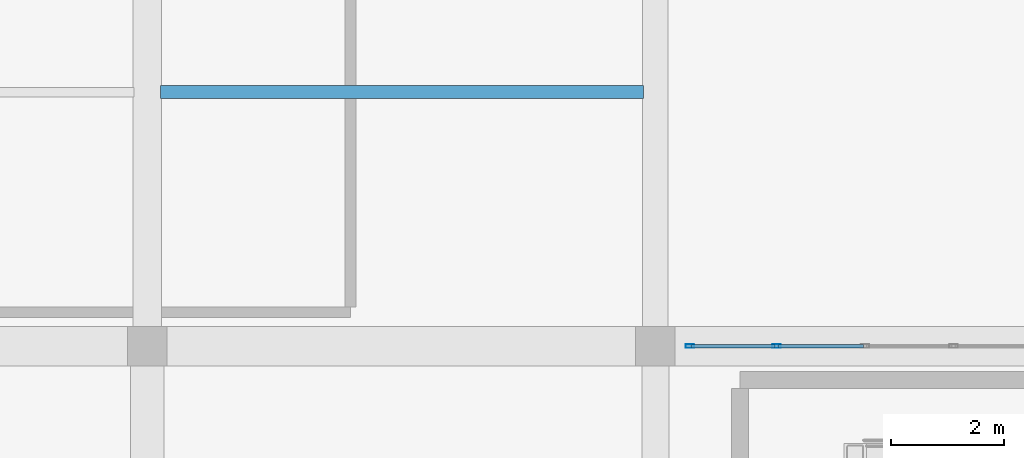
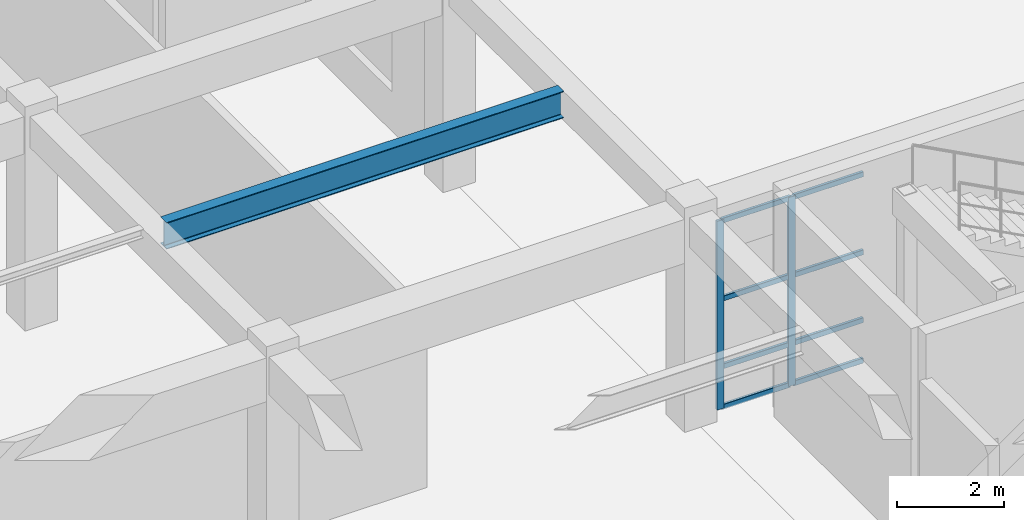
# One storey, part 42 of 128: 10 members, 1 beam, 1 element without a shape of its own.
"""IFC4 building model written with IfcOpenShell, lengths in metres."""

from ifc_helpers import new_model, si_unit, direction, frame, origin, origin_2d, place, context, subcontext, project, spatial, hollow_rectangle, i_section, extrude, material, material_profile, profile_set, type_object, element, aggregate, save


model = new_model("IFC4")

# Units and contexts
model_context = context("Model", 3, precision=1e-05, world=origin(), true_north=direction((0.0, 1.0)))
body_context = subcontext(model_context, "Body", "Model", "MODEL_VIEW")
ifc_project = project(units=[si_unit("LENGTHUNIT", "METRE"), si_unit("AREAUNIT", "SQUARE_METRE"), si_unit("VOLUMEUNIT", "CUBIC_METRE"), si_unit("PLANEANGLEUNIT", "RADIAN"), si_unit("MASSUNIT", "GRAM", prefix="KILO")], contexts=[model_context])

# Site, building, storey
site_placement = place(None, origin())
site = spatial("IfcSite", under=ifc_project, at=site_placement, CompositionType="ELEMENT")
building_placement = place(site_placement, origin())
building = spatial("IfcBuilding", under=site, at=building_placement, Name="Miravela Opera House", CompositionType="ELEMENT")
storey_placement = place(building_placement, origin())
storey = spatial("IfcBuildingStorey", under=building, at=storey_placement, Name="L00", CompositionType="ELEMENT", Elevation=0.0)

# Curtain wall, members
ifc_material_1 = material(Name="Anodised architectural bronze aluminium 6063-T6", Category="aluminium")
curtain_wall_type = type_object("IfcCurtainWallType", Name="ARC-CW-06", PredefinedType="NOTDEFINED", material=ifc_material_1)
curtain_wall_placement = place(storey_placement, origin())
curtain_wall = element("IfcCurtainWall", 1, at=curtain_wall_placement, inside=storey, type_object=curtain_wall_type, Name="Courtyard Arcade Curtain Wall CW-L00-159", PredefinedType="NOTDEFINED")
ifc_material_profile_1 = material_profile(ifc_material_1, hollow_rectangle(XDim=0.06005859375, YDim=0.14990234375, WallThickness=0.00390625, InnerFilletRadius=0.001953125, OuterFilletRadius=0.00390625, at=origin_2d()), Name="CWM-60X150")
ifc_profile_set_1 = profile_set([ifc_material_profile_1])
member_type_1 = type_object("IfcMemberType", Name="ARC-CWM-150", PredefinedType="MULLION", material=ifc_profile_set_1)
member_1_placement = place(storey_placement, frame((117.610107421875, 9.0, 0.0), z_axis=(0.0, 0.0, 1.0), x_axis=(0.0, 1.0, 0.0)))
member_1 = element("IfcMember", 2, at=member_1_placement, type_object=member_type_1, Name="CW-06 mullion 1", PredefinedType="MULLION", context=body_context, shape_type="SweptSolid", body=[
    extrude(hollow_rectangle(XDim=0.06005859375, YDim=0.14990234375, WallThickness=0.00390625, InnerFilletRadius=0.001953125, OuterFilletRadius=0.00390625, at=origin_2d()), origin(), (0.0, 0.0, 1.0), 4.300048828125),
])
member_2_placement = place(storey_placement, frame((119.14794921875, 9.0, 0.0), z_axis=(0.0, 0.0, 1.0), x_axis=(0.0, 1.0, 0.0)))
member_2 = element("IfcMember", 3, at=member_2_placement, type_object=member_type_1, Name="CW-06 mullion 2", PredefinedType="MULLION", context=body_context, shape_type="SweptSolid", body=[
    extrude(hollow_rectangle(XDim=0.06005859375, YDim=0.14990234375, WallThickness=0.00390625, InnerFilletRadius=0.001953125, OuterFilletRadius=0.00390625, at=origin_2d()), origin(), (0.0, 0.0, 1.0), 4.300048828125),
])
ifc_material_profile_2 = material_profile(ifc_material_1, hollow_rectangle(XDim=0.06005859375, YDim=0.114990234375, WallThickness=0.00390625, InnerFilletRadius=0.001953125, OuterFilletRadius=0.00390625, at=origin_2d()), Name="CWT-60X115")
ifc_profile_set_2 = profile_set([ifc_material_profile_2])
member_type_2 = type_object("IfcMemberType", Name="ARC-CWT-115", PredefinedType="USERDEFINED", material=ifc_profile_set_2)
member_3_placement = place(storey_placement, frame((117.639892578125, 9.0, 0.030029296875), z_axis=(1.0, 0.0, 0.0), x_axis=(0.0, 1.0, 0.0)))
member_3 = element("IfcMember", 4, at=member_3_placement, type_object=member_type_2, Name="CW-06 transom 1.1", ObjectType="TRANSOM", PredefinedType="USERDEFINED", context=body_context, shape_type="SweptSolid", body=[
    extrude(hollow_rectangle(XDim=0.06005859375, YDim=0.114990234375, WallThickness=0.00390625, InnerFilletRadius=0.001953125, OuterFilletRadius=0.00390625, at=origin_2d()), origin(), (0.0, 0.0, 1.0), 1.47802734375),
])
member_4_placement = place(storey_placement, frame((117.639892578125, 9.0, 0.949951171875), z_axis=(1.0, 0.0, 0.0), x_axis=(0.0, 1.0, 0.0)))
member_4 = element("IfcMember", 5, at=member_4_placement, type_object=member_type_2, Name="CW-06 transom 1.2", ObjectType="TRANSOM", PredefinedType="USERDEFINED", context=body_context, shape_type="SweptSolid", body=[
    extrude(hollow_rectangle(XDim=0.06005859375, YDim=0.114990234375, WallThickness=0.00390625, InnerFilletRadius=0.001953125, OuterFilletRadius=0.00390625, at=origin_2d()), origin(), (0.0, 0.0, 1.0), 1.47802734375),
])
member_5_placement = place(storey_placement, frame((117.639892578125, 9.0, 2.493896484375), z_axis=(1.0, 0.0, 0.0), x_axis=(0.0, 1.0, 0.0)))
member_5 = element("IfcMember", 6, at=member_5_placement, type_object=member_type_2, Name="CW-06 transom 1.3", ObjectType="TRANSOM", PredefinedType="USERDEFINED", context=body_context, shape_type="SweptSolid", body=[
    extrude(hollow_rectangle(XDim=0.06005859375, YDim=0.114990234375, WallThickness=0.00390625, InnerFilletRadius=0.001953125, OuterFilletRadius=0.00390625, at=origin_2d()), origin(), (0.0, 0.0, 1.0), 1.47802734375),
])
member_6_placement = place(storey_placement, frame((117.639892578125, 9.0, 4.27001953125), z_axis=(1.0, 0.0, 0.0), x_axis=(0.0, 1.0, 0.0)))
member_6 = element("IfcMember", 7, at=member_6_placement, type_object=member_type_2, Name="CW-06 transom 1.4", ObjectType="TRANSOM", PredefinedType="USERDEFINED", context=body_context, shape_type="SweptSolid", body=[
    extrude(hollow_rectangle(XDim=0.06005859375, YDim=0.114990234375, WallThickness=0.00390625, InnerFilletRadius=0.001953125, OuterFilletRadius=0.00390625, at=origin_2d()), origin(), (0.0, 0.0, 1.0), 1.47802734375),
])
member_7_placement = place(storey_placement, frame((119.177978515625, 9.0, 0.030029296875), z_axis=(1.0, 0.0, 0.0), x_axis=(0.0, 1.0, 0.0)))
member_7 = element("IfcMember", 8, at=member_7_placement, type_object=member_type_2, Name="CW-06 transom 2.1", ObjectType="TRANSOM", PredefinedType="USERDEFINED", context=body_context, shape_type="SweptSolid", body=[
    extrude(hollow_rectangle(XDim=0.06005859375, YDim=0.114990234375, WallThickness=0.00390625, InnerFilletRadius=0.001953125, OuterFilletRadius=0.00390625, at=origin_2d()), origin(), (0.0, 0.0, 1.0), 1.508056640625),
])
member_8_placement = place(storey_placement, frame((119.177978515625, 9.0, 0.949951171875), z_axis=(1.0, 0.0, 0.0), x_axis=(0.0, 1.0, 0.0)))
member_8 = element("IfcMember", 9, at=member_8_placement, type_object=member_type_2, Name="CW-06 transom 2.2", ObjectType="TRANSOM", PredefinedType="USERDEFINED", context=body_context, shape_type="SweptSolid", body=[
    extrude(hollow_rectangle(XDim=0.06005859375, YDim=0.114990234375, WallThickness=0.00390625, InnerFilletRadius=0.001953125, OuterFilletRadius=0.00390625, at=origin_2d()), origin(), (0.0, 0.0, 1.0), 1.508056640625),
])
member_9_placement = place(storey_placement, frame((119.177978515625, 9.0, 2.493896484375), z_axis=(1.0, 0.0, 0.0), x_axis=(0.0, 1.0, 0.0)))
member_9 = element("IfcMember", 10, at=member_9_placement, type_object=member_type_2, Name="CW-06 transom 2.3", ObjectType="TRANSOM", PredefinedType="USERDEFINED", context=body_context, shape_type="SweptSolid", body=[
    extrude(hollow_rectangle(XDim=0.06005859375, YDim=0.114990234375, WallThickness=0.00390625, InnerFilletRadius=0.001953125, OuterFilletRadius=0.00390625, at=origin_2d()), origin(), (0.0, 0.0, 1.0), 1.508056640625),
])
member_10_placement = place(storey_placement, frame((119.177978515625, 9.0, 4.27001953125), z_axis=(1.0, 0.0, 0.0), x_axis=(0.0, 1.0, 0.0)))
member_10 = element("IfcMember", 11, at=member_10_placement, type_object=member_type_2, Name="CW-06 transom 2.4", ObjectType="TRANSOM", PredefinedType="USERDEFINED", context=body_context, shape_type="SweptSolid", body=[
    extrude(hollow_rectangle(XDim=0.06005859375, YDim=0.114990234375, WallThickness=0.00390625, InnerFilletRadius=0.001953125, OuterFilletRadius=0.00390625, at=origin_2d()), origin(), (0.0, 0.0, 1.0), 1.508056640625),
])
aggregate(curtain_wall, [member_1, member_2, member_3, member_4, member_5, member_6, member_7, member_8, member_9, member_10])

# Beam
ifc_material_2 = material(Name="Structural steel ASTM A992 Gr. 50", Category="steel")
ifc_material_profile_3 = material_profile(ifc_material_2, i_section(OverallWidth=0.22802734375, OverallDepth=0.60791015625, WebThickness=0.01123046875, FlangeThickness=0.017333984375, FilletRadius=0.01611328125, at=origin_2d()), Name="W610X113")
ifc_profile_set_3 = profile_set([ifc_material_profile_3])
beam_type = type_object("IfcBeamType", Name="STR-BM-W610X113", PredefinedType="BEAM", material=ifc_profile_set_3)
beam_placement = place(storey_placement, frame((108.235107421875, 13.5, 4.5458984375), z_axis=(1.0, 0.0, 0.0), x_axis=(0.0, 1.0, 0.0)))
element("IfcBeam", 12, at=beam_placement, inside=storey, type_object=beam_type, Name="Secondary Floor Joist L00 13-14/B-C", PredefinedType="BEAM", context=body_context, shape_type="SweptSolid", body=[
    extrude(i_section(OverallWidth=0.22802734375, OverallDepth=0.60791015625, WebThickness=0.01123046875, FlangeThickness=0.017333984375, FilletRadius=0.01611328125, at=origin_2d()), origin(), (0.0, 0.0, 1.0), 8.554931640625),
])

save(model, "model.ifc")
